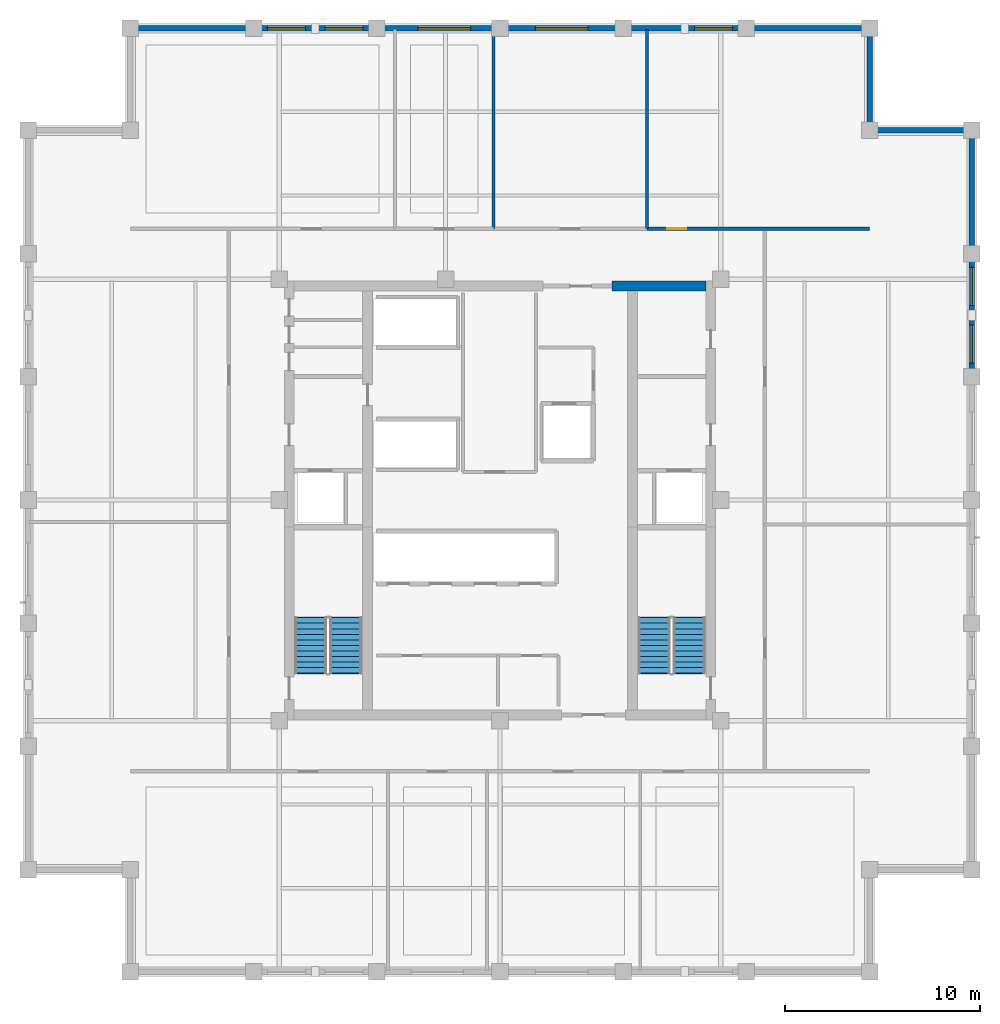
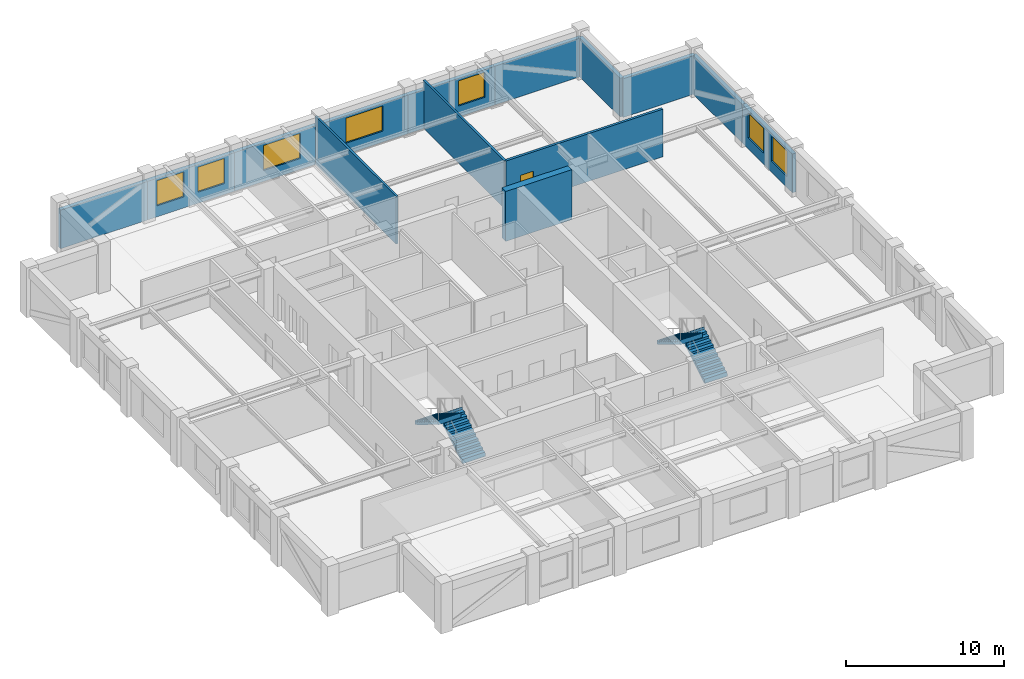
# One storey, part 8 of 11: 14 walls, 7 windows, 4 stair flights, 1 door, 8 openings, 2 elements without a shape of their own.
"""IFC4 building model written with IfcOpenShell, lengths in metres."""

from ifc_helpers import new_model, si_unit, direction, frame, frame_2d, origin, place, context, subcontext, project, spatial, polyline, rectangle, outline, extrude, material, layer, layer_set, type_object, element, fill, aggregate, save


model = new_model("IFC4")

# Units and contexts
model_context = context("Model", 3, precision=1e-05, world=origin(), true_north=direction((0.0, 1.0)))
body_context = subcontext(model_context, "Body", "Model", "MODEL_VIEW")
ifc_project = project(units=[si_unit("LENGTHUNIT", "METRE"), si_unit("AREAUNIT", "SQUARE_METRE"), si_unit("VOLUMEUNIT", "CUBIC_METRE"), si_unit("PLANEANGLEUNIT", "RADIAN"), si_unit("MASSUNIT", "GRAM", prefix="KILO")], contexts=[model_context])

# Site, building, storey
site_placement = place(None, origin())
site = spatial("IfcSite", under=ifc_project, at=site_placement, CompositionType="ELEMENT")
building_placement = place(site_placement, origin())
building = spatial("IfcBuilding", under=site, at=building_placement, Name="Nhamokura Convention Tower", CompositionType="ELEMENT")
storey_placement = place(building_placement, frame((0.0, 0.0, 198.449951171875)))
storey = spatial("IfcBuildingStorey", under=building, at=storey_placement, Name="L48", CompositionType="ELEMENT", Elevation=198.449951171875)

# Wall
ifc_material_1 = material(Name="Bronze-pigmented precast concrete C45/55", Category="concrete")
ifc_layer_1 = layer(ifc_material_1, 0.280029296875)
ifc_layer_set_1 = layer_set([ifc_layer_1], Name="BronzePrecastSpandrel_280")
wall_type_1 = type_object("IfcWallType", Name="BronzePrecastSpandrel_280", PredefinedType="USERDEFINED", material=ifc_layer_set_1)
wall_1_placement = place(storey_placement, frame((13.0, 56.25, 0.0), z_axis=(0.0, 0.0, 1.0), x_axis=(1.0, 0.0, 0.0)))
element("IfcWall", 1, at=wall_1_placement, inside=storey, type_object=wall_type_1, Name="L48 Braced-Bay Precast Wall NORTH 0", ObjectType="SPANDREL_WALL", PredefinedType="USERDEFINED", context=body_context, shape_type="SweptSolid", body=[
    extrude(rectangle(XDim=6.333251953125, YDim=0.280029296875, at=frame_2d((3.16650390625, 0.0))), origin(), (0.0, 0.0, 1.0), 2.985107421875),
])

# Wall, openings, windows
wall_2_placement = place(storey_placement, frame((19.333251953125, 56.25, 0.0), z_axis=(0.0, 0.0, 1.0), x_axis=(1.0, 0.0, 0.0)))
wall_2 = element("IfcWall", 2, at=wall_2_placement, inside=storey, type_object=wall_type_1, Name="L48 Masonry-Frame Wall NORTH 1", ObjectType="SPANDREL_WALL", PredefinedType="USERDEFINED", context=body_context, shape_type="SweptSolid", body=[
    extrude(rectangle(XDim=6.33349609375, YDim=0.280029296875, at=frame_2d((3.166748046875, 0.0))), origin(), (0.0, 0.0, 1.0), 2.985107421875),
])
opening_1_placement = place(wall_2_placement, frame((0.708251953125, 0.0, 0.85009765625)))
opening_1 = element("IfcOpeningElement", 3, at=opening_1_placement, cuts=wall_2, Name="Opening W-08", PredefinedType="OPENING", context=body_context, shape_type="SweptSolid", body=[
    extrude(rectangle(XDim=1.949951171875, YDim=1.93505859375, at=frame_2d((0.97509765625, 0.967529296875))), frame((0.0, 0.14990234375, 0.0), z_axis=(0.0, -1.0, 0.0), x_axis=(1.0, 0.0, 0.0)), (0.0, 0.0, 1.0), 0.300048828125),
])
opening_2_placement = place(wall_2_placement, frame((3.675048828125, 0.0, 0.85009765625)))
opening_2 = element("IfcOpeningElement", 4, at=opening_2_placement, cuts=wall_2, Name="Opening W-08", PredefinedType="OPENING", context=body_context, shape_type="SweptSolid", body=[
    extrude(rectangle(XDim=1.949951171875, YDim=1.93505859375, at=frame_2d((0.97509765625, 0.967529296875))), frame((0.0, 0.14990234375, 0.0), z_axis=(0.0, -1.0, 0.0), x_axis=(1.0, 0.0, 0.0)), (0.0, 0.0, 1.0), 0.300048828125),
])
ifc_material_2 = material(Name="Solar-control bronze low-E double glass", Category="glass")
window_type_1 = type_object("IfcWindowType", Name="OfficeModuleWindow_Z3_1950", PartitioningType="SINGLE_PANEL", PredefinedType="WINDOW", material=ifc_material_2)
window_1_placement = place(opening_1_placement, origin())
window_1 = element("IfcWindow", 5, at=window_1_placement, inside=storey, type_object=window_type_1, Name="L48 Facade Window NORTH 1-1", OverallHeight=1.93505859375, OverallWidth=1.949951171875, PartitioningType="SINGLE_PANEL", PredefinedType="WINDOW", context=body_context, shape_type="SweptSolid", body=[
    extrude(rectangle(XDim=1.949951171875, YDim=1.93505859375, at=frame_2d((0.97509765625, 0.967529296875))), frame((0.0, 0.030029296875, 0.0), z_axis=(0.0, -1.0, 0.0), x_axis=(1.0, 0.0, 0.0)), (0.0, 0.0, 1.0), 0.06005859375),
])
fill(opening_1, window_1)
window_2_placement = place(opening_2_placement, origin())
window_2 = element("IfcWindow", 6, at=window_2_placement, inside=storey, type_object=window_type_1, Name="L48 Facade Window NORTH 1-2", OverallHeight=1.93505859375, OverallWidth=1.949951171875, PartitioningType="SINGLE_PANEL", PredefinedType="WINDOW", context=body_context, shape_type="SweptSolid", body=[
    extrude(rectangle(XDim=1.949951171875, YDim=1.93505859375, at=frame_2d((0.97509765625, 0.967529296875))), frame((0.0, 0.030029296875, 0.0), z_axis=(0.0, -1.0, 0.0), x_axis=(1.0, 0.0, 0.0)), (0.0, 0.0, 1.0), 0.06005859375),
])
fill(opening_2, window_2)

# Wall, opening, window
wall_3_placement = place(storey_placement, frame((25.666748046875, 56.25, 0.0), z_axis=(0.0, 0.0, 1.0), x_axis=(1.0, 0.0, 0.0)))
wall_3 = element("IfcWall", 7, at=wall_3_placement, inside=storey, type_object=wall_type_1, Name="L48 Masonry-Frame Wall NORTH 2", ObjectType="SPANDREL_WALL", PredefinedType="USERDEFINED", context=body_context, shape_type="SweptSolid", body=[
    extrude(rectangle(XDim=6.333251953125, YDim=0.280029296875, at=frame_2d((3.16650390625, 0.0))), origin(), (0.0, 0.0, 1.0), 2.985107421875),
])
opening_3_placement = place(wall_3_placement, frame((2.11669921875, 0.0, 0.85009765625)))
opening_3 = element("IfcOpeningElement", 8, at=opening_3_placement, cuts=wall_3, Name="Opening W-07", PredefinedType="OPENING", context=body_context, shape_type="SweptSolid", body=[
    extrude(rectangle(XDim=2.699951171875, YDim=1.93505859375, at=frame_2d((1.35009765625, 0.967529296875))), frame((0.0, 0.14990234375, 0.0), z_axis=(0.0, -1.0, 0.0), x_axis=(1.0, 0.0, 0.0)), (0.0, 0.0, 1.0), 0.300048828125),
])
ifc_material_3 = material(Name="Solar-control bronze low-E double glass", Category="glass")
window_type_2 = type_object("IfcWindowType", Name="OfficeModuleWindow_Z3_2700", PartitioningType="DOUBLE_PANEL_VERTICAL", PredefinedType="WINDOW", material=ifc_material_3)
window_3_placement = place(opening_3_placement, origin())
window_3 = element("IfcWindow", 9, at=window_3_placement, inside=storey, type_object=window_type_2, Name="L48 Facade Window NORTH 2", OverallHeight=1.93505859375, OverallWidth=2.699951171875, PartitioningType="SINGLE_PANEL", PredefinedType="WINDOW", context=body_context, shape_type="SweptSolid", body=[
    extrude(rectangle(XDim=2.699951171875, YDim=1.93505859375, at=frame_2d((1.35009765625, 0.967529296875))), frame((0.0, 0.030029296875, 0.0), z_axis=(0.0, -1.0, 0.0), x_axis=(1.0, 0.0, 0.0)), (0.0, 0.0, 1.0), 0.06005859375),
])
fill(opening_3, window_3)

wall_4_placement = place(storey_placement, frame((32.0, 56.25, 0.0), z_axis=(0.0, 0.0, 1.0), x_axis=(1.0, 0.0, 0.0)))
wall_4 = element("IfcWall", 10, at=wall_4_placement, inside=storey, type_object=wall_type_1, Name="L48 Masonry-Frame Wall NORTH 3", ObjectType="SPANDREL_WALL", PredefinedType="USERDEFINED", context=body_context, shape_type="SweptSolid", body=[
    extrude(rectangle(XDim=6.333251953125, YDim=0.280029296875, at=frame_2d((3.16650390625, 0.0))), origin(), (0.0, 0.0, 1.0), 2.985107421875),
])
opening_4_placement = place(wall_4_placement, frame((1.816650390625, 0.0, 0.85009765625)))
opening_4 = element("IfcOpeningElement", 11, at=opening_4_placement, cuts=wall_4, Name="Opening W-07", PredefinedType="OPENING", context=body_context, shape_type="SweptSolid", body=[
    extrude(rectangle(XDim=2.699951171875, YDim=1.93505859375, at=frame_2d((1.35009765625, 0.967529296875))), frame((0.0, 0.14990234375, 0.0), z_axis=(0.0, -1.0, 0.0), x_axis=(1.0, 0.0, 0.0)), (0.0, 0.0, 1.0), 0.300048828125),
])
window_4_placement = place(opening_4_placement, origin())
window_4 = element("IfcWindow", 12, at=window_4_placement, inside=storey, type_object=window_type_2, Name="L48 Facade Window NORTH 3", OverallHeight=1.93505859375, OverallWidth=2.699951171875, PartitioningType="SINGLE_PANEL", PredefinedType="WINDOW", context=body_context, shape_type="SweptSolid", body=[
    extrude(rectangle(XDim=2.699951171875, YDim=1.93505859375, at=frame_2d((1.35009765625, 0.967529296875))), frame((0.0, 0.030029296875, 0.0), z_axis=(0.0, -1.0, 0.0), x_axis=(1.0, 0.0, 0.0)), (0.0, 0.0, 1.0), 0.06005859375),
])
fill(opening_4, window_4)

wall_5_placement = place(storey_placement, frame((38.333251953125, 56.25, 0.0), z_axis=(0.0, 0.0, 1.0), x_axis=(1.0, 0.0, 0.0)))
wall_5 = element("IfcWall", 13, at=wall_5_placement, inside=storey, type_object=wall_type_1, Name="L48 Masonry-Frame Wall NORTH 4", ObjectType="SPANDREL_WALL", PredefinedType="USERDEFINED", context=body_context, shape_type="SweptSolid", body=[
    extrude(rectangle(XDim=6.33349609375, YDim=0.280029296875, at=frame_2d((3.166748046875, 0.0))), origin(), (0.0, 0.0, 1.0), 2.985107421875),
])
opening_5_placement = place(wall_5_placement, frame((3.675048828125, 0.0, 0.85009765625)))
opening_5 = element("IfcOpeningElement", 14, at=opening_5_placement, cuts=wall_5, Name="Opening W-08", PredefinedType="OPENING", context=body_context, shape_type="SweptSolid", body=[
    extrude(rectangle(XDim=1.949951171875, YDim=1.93505859375, at=frame_2d((0.97509765625, 0.967529296875))), frame((0.0, 0.14990234375, 0.0), z_axis=(0.0, -1.0, 0.0), x_axis=(1.0, 0.0, 0.0)), (0.0, 0.0, 1.0), 0.300048828125),
])
window_5_placement = place(opening_5_placement, origin())
window_5 = element("IfcWindow", 15, at=window_5_placement, inside=storey, type_object=window_type_1, Name="L48 Facade Window NORTH 4-3", OverallHeight=1.93505859375, OverallWidth=1.949951171875, PartitioningType="SINGLE_PANEL", PredefinedType="WINDOW", context=body_context, shape_type="SweptSolid", body=[
    extrude(rectangle(XDim=1.949951171875, YDim=1.93505859375, at=frame_2d((0.97509765625, 0.967529296875))), frame((0.0, 0.030029296875, 0.0), z_axis=(0.0, -1.0, 0.0), x_axis=(1.0, 0.0, 0.0)), (0.0, 0.0, 1.0), 0.06005859375),
])
fill(opening_5, window_5)

# Wall
wall_6_placement = place(storey_placement, frame((44.666748046875, 56.25, 0.0), z_axis=(0.0, 0.0, 1.0), x_axis=(1.0, 0.0, 0.0)))
element("IfcWall", 16, at=wall_6_placement, inside=storey, type_object=wall_type_1, Name="L48 Braced-Bay Precast Wall NORTH 5", ObjectType="SPANDREL_WALL", PredefinedType="USERDEFINED", context=body_context, shape_type="SweptSolid", body=[
    extrude(rectangle(XDim=6.333251953125, YDim=0.280029296875, at=frame_2d((3.16650390625, 0.0))), origin(), (0.0, 0.0, 1.0), 2.985107421875),
])

# Wall, openings, windows
wall_7_placement = place(storey_placement, frame((56.25, 44.666748046875, 0.0), z_axis=(0.0, 0.0, 1.0), x_axis=(0.0, -1.0, 0.0)))
wall_7 = element("IfcWall", 17, at=wall_7_placement, inside=storey, type_object=wall_type_1, Name="L48 Masonry-Frame Wall EAST 4", ObjectType="SPANDREL_WALL", PredefinedType="USERDEFINED", context=body_context, shape_type="SweptSolid", body=[
    extrude(rectangle(XDim=6.33349609375, YDim=0.280029296875, at=frame_2d((3.166748046875, 0.0))), origin(), (0.0, 0.0, 1.0), 2.985107421875),
])
opening_6_placement = place(wall_7_placement, frame((0.708251953125, 0.0, 0.85009765625)))
opening_6 = element("IfcOpeningElement", 18, at=opening_6_placement, cuts=wall_7, Name="Opening W-08", PredefinedType="OPENING", context=body_context, shape_type="SweptSolid", body=[
    extrude(rectangle(XDim=1.949951171875, YDim=1.93505859375, at=frame_2d((0.97509765625, 0.967529296875))), frame((0.0, 0.14990234375, 0.0), z_axis=(0.0, -1.0, 0.0), x_axis=(1.0, 0.0, 0.0)), (0.0, 0.0, 1.0), 0.300048828125),
])
opening_7_placement = place(wall_7_placement, frame((3.675048828125, 0.0, 0.85009765625)))
opening_7 = element("IfcOpeningElement", 19, at=opening_7_placement, cuts=wall_7, Name="Opening W-08", PredefinedType="OPENING", context=body_context, shape_type="SweptSolid", body=[
    extrude(rectangle(XDim=1.949951171875, YDim=1.93505859375, at=frame_2d((0.97509765625, 0.967529296875))), frame((0.0, 0.14990234375, 0.0), z_axis=(0.0, -1.0, 0.0), x_axis=(1.0, 0.0, 0.0)), (0.0, 0.0, 1.0), 0.300048828125),
])
window_6_placement = place(opening_6_placement, origin())
window_6 = element("IfcWindow", 20, at=window_6_placement, inside=storey, type_object=window_type_1, Name="L48 Facade Window EAST 4-1", OverallHeight=1.93505859375, OverallWidth=1.949951171875, PartitioningType="SINGLE_PANEL", PredefinedType="WINDOW", context=body_context, shape_type="SweptSolid", body=[
    extrude(rectangle(XDim=1.949951171875, YDim=1.93505859375, at=frame_2d((0.97509765625, 0.967529296875))), frame((0.0, 0.030029296875, 0.0), z_axis=(0.0, -1.0, 0.0), x_axis=(1.0, 0.0, 0.0)), (0.0, 0.0, 1.0), 0.06005859375),
])
fill(opening_6, window_6)
window_7_placement = place(opening_7_placement, origin())
window_7 = element("IfcWindow", 21, at=window_7_placement, inside=storey, type_object=window_type_1, Name="L48 Facade Window EAST 4-2", OverallHeight=1.93505859375, OverallWidth=1.949951171875, PartitioningType="SINGLE_PANEL", PredefinedType="WINDOW", context=body_context, shape_type="SweptSolid", body=[
    extrude(rectangle(XDim=1.949951171875, YDim=1.93505859375, at=frame_2d((0.97509765625, 0.967529296875))), frame((0.0, 0.030029296875, 0.0), z_axis=(0.0, -1.0, 0.0), x_axis=(1.0, 0.0, 0.0)), (0.0, 0.0, 1.0), 0.06005859375),
])
fill(opening_7, window_7)

# Walls
wall_8_placement = place(storey_placement, frame((56.25, 51.0, 0.0), z_axis=(0.0, 0.0, 1.0), x_axis=(0.0, -1.0, 0.0)))
element("IfcWall", 22, at=wall_8_placement, inside=storey, type_object=wall_type_1, Name="L48 Braced-Bay Precast Wall EAST 5", ObjectType="SPANDREL_WALL", PredefinedType="USERDEFINED", context=body_context, shape_type="SweptSolid", body=[
    extrude(rectangle(XDim=6.333251953125, YDim=0.280029296875, at=frame_2d((3.16650390625, 0.0))), origin(), (0.0, 0.0, 1.0), 2.985107421875),
])
for number, where, z_axis, x_axis, name in (
    (23, (51.0, 51.0, 0.0), (0.0, 0.0, 1.0), (1.0, 0.0, 0.0), "L48 Notched Corner Wall NE1"),
    (24, (51.0, 56.25, 0.0), (0.0, 0.0, 1.0), (0.0, -1.0, 0.0), "L48 Notched Corner Wall NE2"),
):
    element("IfcWall", number, at=place(storey_placement, frame(where, z_axis=z_axis, x_axis=x_axis)), inside=storey, type_object=wall_type_1, Name=name, ObjectType="SPANDREL_WALL", PredefinedType="USERDEFINED", context=body_context, shape_type="SweptSolid", body=[
        extrude(rectangle(XDim=5.25, YDim=0.280029296875, at=frame_2d((2.625, 0.0))), origin(), (0.0, 0.0, 1.0), 2.985107421875),
    ])
ifc_material_4 = material(Name="Concrete C60/75", Category="concrete")
ifc_layer_2 = layer(ifc_material_4, 0.5)
ifc_layer_set_2 = layer_set([ifc_layer_2], Name="CoreShearWall_500")
wall_type_2 = type_object("IfcWallType", Name="CoreShearWall_500", PredefinedType="SHEAR", material=ifc_layer_set_2)
wall_9_placement = place(storey_placement, frame((37.75, 43.0, 0.0), z_axis=(0.0, 0.0, 1.0), x_axis=(1.0, 0.0, 0.0)))
element("IfcWall", 25, at=wall_9_placement, inside=storey, type_object=wall_type_2, Name="L48 Core Shear Wall CW-N2", PredefinedType="SHEAR", context=body_context, shape_type="SweptSolid", body=[
    extrude(rectangle(XDim=4.840087890625, YDim=0.5, at=frame_2d((2.419921875, 0.0))), origin(), (0.0, 0.0, 1.0), 3.85009765625),
])

# Wall, opening, door
ifc_material_5 = material(Name="Fire-rated gypsum and masonry partition", Category="masonry")
ifc_layer_3 = layer(ifc_material_5, 0.179931640625)
ifc_layer_set_3 = layer_set([ifc_layer_3], Name="CorridorRatedWall_180")
wall_type_3 = type_object("IfcWallType", Name="CorridorRatedWall_180", PredefinedType="STANDARD", material=ifc_layer_set_3)
wall_10_placement = place(storey_placement, frame((39.558349609375, 45.949951171875, 0.0), z_axis=(0.0, 0.0, 1.0), x_axis=(1.0, 0.0, 0.0)))
wall_10 = element("IfcWall", 26, at=wall_10_placement, inside=storey, type_object=wall_type_3, Name="L48 Wall INT-L48-CW-N03", PredefinedType="STANDARD", context=body_context, shape_type="SweptSolid", body=[
    extrude(rectangle(XDim=11.441650390625, YDim=0.179931640625, at=frame_2d((5.720703125, 0.0))), origin(), (0.0, 0.0, 1.0), 3.68505859375),
])
opening_8_placement = place(wall_10_placement, frame((1.0458984375, 0.0, 0.0)))
opening_8 = element("IfcOpeningElement", 27, at=opening_8_placement, cuts=wall_10, Name="Opening D-08", PredefinedType="OPENING", context=body_context, shape_type="SweptSolid", body=[
    extrude(rectangle(XDim=0.97998046875, YDim=2.199951171875, at=frame_2d((0.489990234375, 1.10009765625))), frame((0.0, 0.099853515625, 0.0), z_axis=(0.0, -1.0, 0.0), x_axis=(1.0, 0.0, 0.0)), (0.0, 0.0, 1.0), 0.199951171875),
])
ifc_material_6 = material(Name="Solid oak hardwood", Category="wood")
door_type = type_object("IfcDoorType", Name="OfficeEntryDoor_980", OperationType="NOTDEFINED", PredefinedType="DOOR", material=ifc_material_6)
door_placement = place(opening_8_placement, origin())
door = element("IfcDoor", 28, at=door_placement, inside=storey, type_object=door_type, Name="L48 Private Office N04 Door", OperationType="SINGLE_SWING_RIGHT", OverallHeight=2.199951171875, OverallWidth=0.97998046875, PredefinedType="DOOR", context=body_context, shape_type="SweptSolid", body=[
    extrude(rectangle(XDim=0.97998046875, YDim=2.199951171875, at=frame_2d((0.489990234375, 1.10009765625))), frame((0.0, 0.02490234375, 0.0), z_axis=(0.0, -1.0, 0.0), x_axis=(1.0, 0.0, 0.0)), (0.0, 0.0, 1.0), 0.050048828125),
])
fill(opening_8, door)

# Walls
ifc_material_7 = material(Name="Acoustic gypsum stud partition", Category="masonry")
ifc_layer_4 = layer(ifc_material_7, 0.14990234375)
ifc_layer_set_4 = layer_set([ifc_layer_4], Name="InteriorPartition_150")
wall_type_4 = type_object("IfcWallType", Name="InteriorPartition_150", PredefinedType="STANDARD", material=ifc_layer_set_4)
for number, where, z_axis, x_axis, name in (
    (29, (31.675048828125, 45.949951171875, 0.0), (0.0, 0.0, 1.0), (0.0, 1.0, 0.0), "L48 Wall INT-L48-RW-N02"),
    (30, (39.558349609375, 45.949951171875, 0.0), (0.0, 0.0, 1.0), (0.0, 1.0, 0.0), "L48 Wall INT-L48-RW-N03"),
):
    element("IfcWall", number, at=place(storey_placement, frame(where, z_axis=z_axis, x_axis=x_axis)), inside=storey, type_object=wall_type_4, Name=name, PredefinedType="STANDARD", context=body_context, shape_type="SweptSolid", body=[
        extrude(rectangle(XDim=10.239990234375, YDim=0.14990234375, at=frame_2d((5.1201171875, 0.0))), origin(), (0.0, 0.0, 1.0), 3.68505859375),
    ])

# Stair, stair flights
ifc_material_8 = material(Name="Concrete C40/50", Category="concrete")
stair_type = type_object("IfcStairType", Name="TowerCoreStair_1650", PredefinedType="HALF_TURN_STAIR", material=ifc_material_8)
stair_1_placement = place(storey_placement, origin())
stair_1 = element("IfcStair", 31, at=stair_1_placement, inside=storey, type_object=stair_type, Name="L48 West Core Smokeproof Stair ST-01", PredefinedType="HALF_TURN_STAIR")
ifc_material_9 = material(Name="Concrete C40/50", Category="concrete")
stair_flight_type = type_object("IfcStairFlightType", Name="TowerCoreStair_1650_Flight", PredefinedType="STRAIGHT", material=ifc_material_9)
stair_flight_1_placement = place(storey_placement, frame((24.074951171875, 23.10009765625, 0.0), z_axis=(0.0, 0.0, 1.0), x_axis=(0.0, 1.0, 0.0)))
stair_flight_1 = element("IfcStairFlight", 32, at=stair_flight_1_placement, type_object=stair_flight_type, Name="ST-01 flight 1", NumberOfRisers=11, NumberOfTreads=10, PredefinedType="STRAIGHT", RiserHeight=0.175, TreadLength=0.285, context=body_context, shape_type="SweptSolid", body=[
    extrude(outline(polyline([(-0.0419921875, 0.0), (0.0, 0.175048828125), (0.284912109375, 0.175048828125), (0.284912109375, 0.35009765625), (0.570068359375, 0.35009765625), (0.570068359375, 0.52490234375), (0.85498046875, 0.52490234375), (0.85498046875, 0.699951171875), (1.139892578125, 0.699951171875), (1.139892578125, 0.875), (1.425048828125, 0.875), (1.425048828125, 1.050048828125), (1.7099609375, 1.050048828125), (1.7099609375, 1.22509765625), (1.9951171875, 1.22509765625), (1.9951171875, 1.39990234375), (2.280029296875, 1.39990234375), (2.280029296875, 1.574951171875), (2.56494140625, 1.574951171875), (2.56494140625, 1.75), (2.85009765625, 1.75), (2.85009765625, 1.925048828125), (2.89208984375, 1.925048828125), (2.89208984375, 1.573974609375), (2.85009765625, 1.573974609375), (0.286376953125, 0.0), (0.02001953125, -0.1298828125), (-0.0419921875, -0.1298828125), (-0.0419921875, 0.0)])), frame((0.0, 0.824951171875, 0.0), z_axis=(0.0, -1.0, 0.0), x_axis=(1.0, 0.0, 0.0)), (0.0, 0.0, 1.0), 1.64990234375),
])
stair_flight_2_placement = place(storey_placement, frame((22.27490234375, 25.949951171875, 1.925048828125), z_axis=(0.0, 0.0, 1.0), x_axis=(0.0, -1.0, 0.0)))
stair_flight_2 = element("IfcStairFlight", 33, at=stair_flight_2_placement, type_object=stair_flight_type, Name="ST-01 flight 2", NumberOfRisers=11, NumberOfTreads=10, PredefinedType="STRAIGHT", RiserHeight=0.175, TreadLength=0.285, context=body_context, shape_type="SweptSolid", body=[
    extrude(outline(polyline([(-0.0419921875, 0.0), (0.0, 0.175048828125), (0.284912109375, 0.175048828125), (0.284912109375, 0.35009765625), (0.570068359375, 0.35009765625), (0.570068359375, 0.52490234375), (0.85498046875, 0.52490234375), (0.85498046875, 0.699951171875), (1.139892578125, 0.699951171875), (1.139892578125, 0.875), (1.425048828125, 0.875), (1.425048828125, 1.050048828125), (1.7099609375, 1.050048828125), (1.7099609375, 1.22509765625), (1.9951171875, 1.22509765625), (1.9951171875, 1.39990234375), (2.280029296875, 1.39990234375), (2.280029296875, 1.574951171875), (2.56494140625, 1.574951171875), (2.56494140625, 1.75), (2.85009765625, 1.75), (2.85009765625, 1.925048828125), (2.89208984375, 1.925048828125), (2.89208984375, 1.573974609375), (2.85009765625, 1.573974609375), (0.286376953125, 0.0), (0.02001953125, -0.1298828125), (-0.0419921875, -0.1298828125), (-0.0419921875, 0.0)])), frame((0.0, 0.824951171875, 0.0), z_axis=(0.0, -1.0, 0.0), x_axis=(1.0, 0.0, 0.0)), (0.0, 0.0, 1.0), 1.64990234375),
])
aggregate(stair_1, [stair_flight_1, stair_flight_2])

stair_2_placement = place(storey_placement, origin())
stair_2 = element("IfcStair", 34, at=stair_2_placement, inside=storey, type_object=stair_type, Name="L48 East Core Smokeproof Stair ST-02", PredefinedType="HALF_TURN_STAIR")
stair_flight_3_placement = place(storey_placement, frame((41.72509765625, 23.10009765625, 0.0), z_axis=(0.0, 0.0, 1.0), x_axis=(0.0, 1.0, 0.0)))
stair_flight_3 = element("IfcStairFlight", 35, at=stair_flight_3_placement, type_object=stair_flight_type, Name="ST-02 flight 1", NumberOfRisers=11, NumberOfTreads=10, PredefinedType="STRAIGHT", RiserHeight=0.175, TreadLength=0.285, context=body_context, shape_type="SweptSolid", body=[
    extrude(outline(polyline([(-0.0419921875, 0.0), (0.0, 0.175048828125), (0.284912109375, 0.175048828125), (0.284912109375, 0.35009765625), (0.570068359375, 0.35009765625), (0.570068359375, 0.52490234375), (0.85498046875, 0.52490234375), (0.85498046875, 0.699951171875), (1.139892578125, 0.699951171875), (1.139892578125, 0.875), (1.425048828125, 0.875), (1.425048828125, 1.050048828125), (1.7099609375, 1.050048828125), (1.7099609375, 1.22509765625), (1.9951171875, 1.22509765625), (1.9951171875, 1.39990234375), (2.280029296875, 1.39990234375), (2.280029296875, 1.574951171875), (2.56494140625, 1.574951171875), (2.56494140625, 1.75), (2.85009765625, 1.75), (2.85009765625, 1.925048828125), (2.89208984375, 1.925048828125), (2.89208984375, 1.573974609375), (2.85009765625, 1.573974609375), (0.286376953125, 0.0), (0.02001953125, -0.1298828125), (-0.0419921875, -0.1298828125), (-0.0419921875, 0.0)])), frame((0.0, 0.824951171875, 0.0), z_axis=(0.0, -1.0, 0.0), x_axis=(1.0, 0.0, 0.0)), (0.0, 0.0, 1.0), 1.64990234375),
])
stair_flight_4_placement = place(storey_placement, frame((39.925048828125, 25.949951171875, 1.925048828125), z_axis=(0.0, 0.0, 1.0), x_axis=(0.0, -1.0, 0.0)))
stair_flight_4 = element("IfcStairFlight", 36, at=stair_flight_4_placement, type_object=stair_flight_type, Name="ST-02 flight 2", NumberOfRisers=11, NumberOfTreads=10, PredefinedType="STRAIGHT", RiserHeight=0.175, TreadLength=0.285, context=body_context, shape_type="SweptSolid", body=[
    extrude(outline(polyline([(-0.0419921875, 0.0), (0.0, 0.175048828125), (0.284912109375, 0.175048828125), (0.284912109375, 0.35009765625), (0.570068359375, 0.35009765625), (0.570068359375, 0.52490234375), (0.85498046875, 0.52490234375), (0.85498046875, 0.699951171875), (1.139892578125, 0.699951171875), (1.139892578125, 0.875), (1.425048828125, 0.875), (1.425048828125, 1.050048828125), (1.7099609375, 1.050048828125), (1.7099609375, 1.22509765625), (1.9951171875, 1.22509765625), (1.9951171875, 1.39990234375), (2.280029296875, 1.39990234375), (2.280029296875, 1.574951171875), (2.56494140625, 1.574951171875), (2.56494140625, 1.75), (2.85009765625, 1.75), (2.85009765625, 1.925048828125), (2.89208984375, 1.925048828125), (2.89208984375, 1.573974609375), (2.85009765625, 1.573974609375), (0.286376953125, 0.0), (0.02001953125, -0.1298828125), (-0.0419921875, -0.1298828125), (-0.0419921875, 0.0)])), frame((0.0, 0.824951171875, 0.0), z_axis=(0.0, -1.0, 0.0), x_axis=(1.0, 0.0, 0.0)), (0.0, 0.0, 1.0), 1.64990234375),
])
aggregate(stair_2, [stair_flight_3, stair_flight_4])

save(model, "model.ifc")
